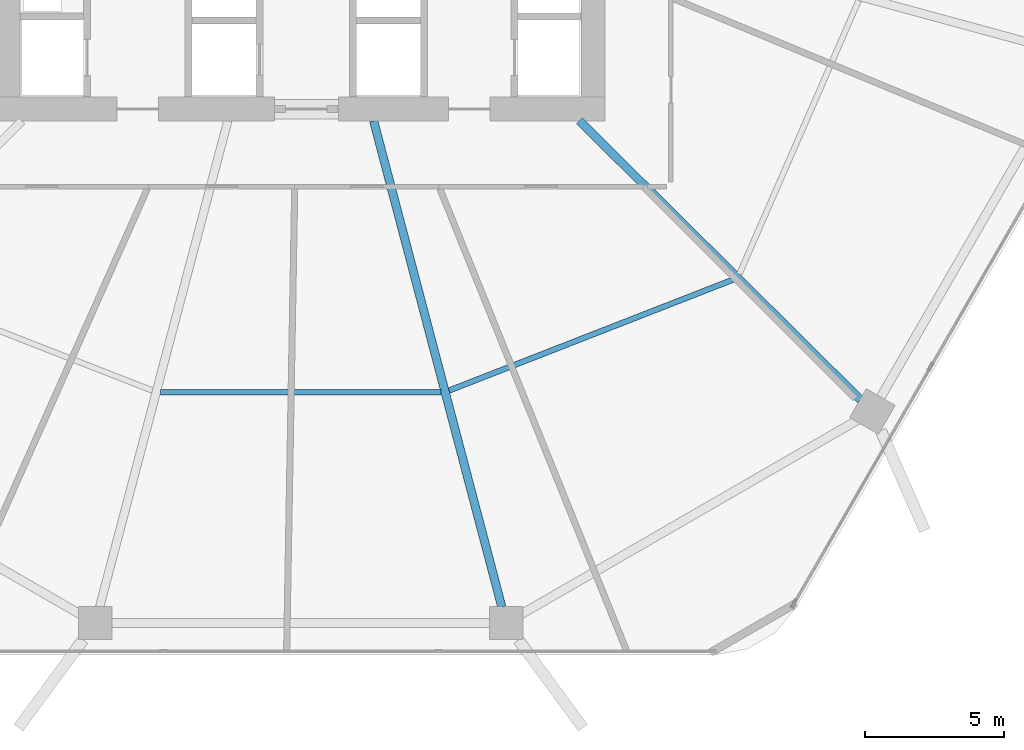
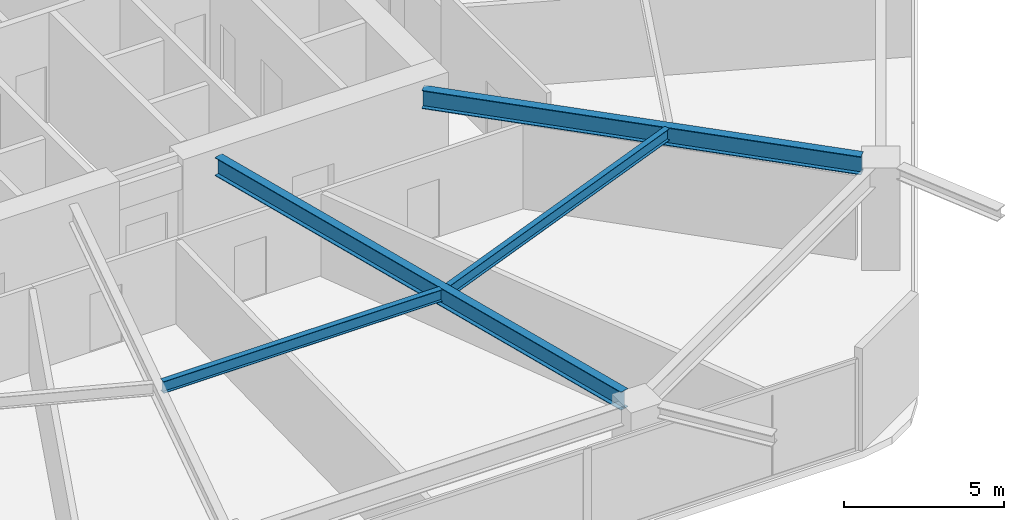
# One storey, part 8 of 25: 4 beams.
"""IFC4 building model written with IfcOpenShell, lengths in metres."""

import ifcopenshell
import ifcopenshell.guid

model = None  # the IFC model being written
_history = None  # IfcOwnerHistory: only IFC2X3 demands one
_inside = {}  # id of a spatial element -> (the spatial element, [elements in it])
_under = {}  # id of a project, library or spatial element -> (it, [spatial elements below it])
_declared = {}  # id of a project -> (the project, [libraries it declares])
_typed = {}  # id of a type object -> (the type object, [elements of that type])
_made_of = {}  # id of a material, layer set ... -> (it, [elements and type objects made of it])


def new_model(schema):
    """Start an empty IFC model of exactly this schema.

    Asked for "IFC4X3", IfcOpenShell would pick the latest addendum, in which some entities
    have other attributes; the version numbers below select the first issue.
    IFC2X3 requires an IfcOwnerHistory on every rooted entity: one is made here for all.
    """
    global model, _history
    if schema == "IFC4X3":
        model = ifcopenshell.file(schema_version=(4, 3, 0, 0))
    else:
        model = ifcopenshell.file(schema=schema)
    _inside.clear()
    _under.clear()
    _declared.clear()
    _typed.clear()
    _made_of.clear()
    _history = None
    if model.schema == "IFC2X3":
        org = make("IfcOrganization", Name="unknown")
        user = make(
            "IfcPersonAndOrganization",
            ThePerson=make("IfcPerson", FamilyName="unknown"),
            TheOrganization=org,
        )
        app = make(
            "IfcApplication",
            ApplicationDeveloper=org,
            Version="unknown",
            ApplicationFullName="unknown",
            ApplicationIdentifier="unknown",
        )
        _history = make(
            "IfcOwnerHistory",
            OwningUser=user,
            OwningApplication=app,
            ChangeAction="ADDED",
            CreationDate=0,
        )
    return model


def make(cls, **values):
    """One entity of the class cls with the attributes given. An attribute that is None is left unset."""
    return model.create_entity(
        cls, **{name: value for name, value in values.items() if value is not None}
    )


def rooted(cls, **values):
    """An entity with a GlobalId (a new one), such as an element, a storey or a relation."""
    return make(cls, GlobalId=ifcopenshell.guid.new(), OwnerHistory=_history, **values)


def si_unit(unit_type, name, prefix=None):
    """IfcSIUnit, for example si_unit("LENGTHUNIT", "METRE", prefix="MILLI")."""
    return make("IfcSIUnit", UnitType=unit_type, Prefix=prefix, Name=name)


def assignment(units):
    """IfcUnitAssignment: the units of a project."""
    return None if units is None else make("IfcUnitAssignment", Units=units)


def point(xyz):
    """IfcCartesianPoint."""
    return None if xyz is None else make("IfcCartesianPoint", Coordinates=xyz)


def direction(xyz):
    """IfcDirection."""
    return None if xyz is None else make("IfcDirection", DirectionRatios=xyz)


def frame(location, z_axis=None, x_axis=None):
    """IfcAxis2Placement3D, a coordinate frame: its origin and axes. An axis left out is left unset."""
    return make(
        "IfcAxis2Placement3D",
        Location=point(location),
        Axis=direction(z_axis),
        RefDirection=direction(x_axis),
    )


def frame_2d(location, x_axis=None):
    """IfcAxis2Placement2D, a coordinate frame in the plane: its origin and x axis."""
    return make(
        "IfcAxis2Placement2D", Location=point(location), RefDirection=direction(x_axis)
    )


def origin():
    """The frame at (0, 0, 0) with its axes left unset."""
    return frame((0.0, 0.0, 0.0))


def origin_2d():
    """The frame at (0, 0) in the plane with its x axis left unset."""
    return frame_2d((0.0, 0.0))


def place(relative_to, where):
    """IfcLocalPlacement: puts the frame where relative to a parent placement (None: the world)."""
    return make(
        "IfcLocalPlacement", PlacementRelTo=relative_to, RelativePlacement=where
    )


def context(
    kind, dimensions, precision=None, world=None, true_north=None, identifier=None
):
    """IfcGeometricRepresentationContext, for example the 3D "Model" context."""
    return make(
        "IfcGeometricRepresentationContext",
        ContextIdentifier=identifier,
        ContextType=kind,
        CoordinateSpaceDimension=dimensions,
        Precision=precision,
        WorldCoordinateSystem=world,
        TrueNorth=true_north,
    )


def subcontext(parent, identifier, kind, view, scale=None):
    """IfcGeometricRepresentationSubContext, for example "Body" below "Model"."""
    return make(
        "IfcGeometricRepresentationSubContext",
        ContextIdentifier=identifier,
        ContextType=kind,
        ParentContext=parent,
        TargetScale=scale,
        TargetView=view,
    )


def project(units=None, contexts=None):
    """IfcProject with its units and contexts."""
    return rooted(
        "IfcProject",
        Name="project",
        RepresentationContexts=contexts,
        UnitsInContext=assignment(units),
    )


def spatial(cls, under=None, at=None, **own):
    """A site, building, storey or space (cls), placed at a placement, below another one or the project."""
    s = rooted(cls, ObjectPlacement=at, **own)
    if under is not None:
        _under.setdefault(under.id(), (under, []))[1].append(s)
    return s


def profile(cls, at=None, kind="AREA", **sizes):
    """A parametric profile (cls). Its sizes go by their IFC names, for example OverallWidth=200.0."""
    return make(cls, ProfileType=kind, Position=at, **sizes)


def i_section(**sizes):
    """IfcIShapeProfileDef."""
    return profile("IfcIShapeProfileDef", **sizes)


def extrude(swept, where, along, depth):
    """IfcExtrudedAreaSolid: the profile swept, set in the frame where, extruded along a direction by depth."""
    return make(
        "IfcExtrudedAreaSolid",
        SweptArea=swept,
        Position=where,
        ExtrudedDirection=direction(along),
        Depth=depth,
    )


def shape(context_of_items, identifier, shape_type, items):
    """IfcShapeRepresentation: the items that make up one representation, for example the "Body"."""
    return make(
        "IfcShapeRepresentation",
        ContextOfItems=context_of_items,
        RepresentationIdentifier=identifier,
        RepresentationType=shape_type,
        Items=items,
    )


def material(Name=None, Category=None):
    """IfcMaterial."""
    return make("IfcMaterial", Name=Name, Category=Category)


def material_profile(
    of_material, cross_section, Name=None, Category=None, Priority=None
):
    """IfcMaterialProfile: a cross section and its material."""
    return make(
        "IfcMaterialProfile",
        Name=Name,
        Material=of_material,
        Profile=cross_section,
        Priority=Priority,
        Category=Category,
    )


def profile_set(profiles, Name=None, composite=None):
    """IfcMaterialProfileSet."""
    return make(
        "IfcMaterialProfileSet",
        Name=Name,
        MaterialProfiles=profiles,
        CompositeProfile=composite,
    )


def made_of(thing, what):
    """Note that an element or type object is made of a material, layer set ...; save() writes the relation."""
    if what is not None:
        _made_of.setdefault(what.id(), (what, []))[1].append(thing)
    return thing


def type_object(cls, material=None, **own):
    """A type object (cls), such as IfcWallType, which elements share."""
    return made_of(rooted(cls, **own), material)


def element(
    cls,
    number,
    at=None,
    inside=None,
    cuts=None,
    type_object=None,
    material=None,
    context=None,
    identifier="Body",
    shape_type=None,
    held_by="IfcProductDefinitionShape",
    body=None,
    shapes=None,
    **own,
):
    """One element of the class cls, such as IfcWall. Its Tag is "e" and its number.

    at: its placement. inside: the storey or other place that contains it. cuts: it is an
    opening in that element (IfcRelVoidsElement). A single representation is given by context,
    identifier, shape_type and body (its items); several are given by shapes. held_by: the class
    of the entity that holds the representations. save() writes the other relations.
    """
    e = rooted(cls, Tag="e%d" % number, ObjectPlacement=at, **own)
    if body is not None:
        shapes = [shape(context, identifier, shape_type, body)]
    if shapes is not None:
        e.Representation = make(held_by, Representations=shapes)
    if inside is not None:
        _inside.setdefault(inside.id(), (inside, []))[1].append(e)
    if cuts is not None:
        rooted(
            "IfcRelVoidsElement", RelatingBuildingElement=cuts, RelatedOpeningElement=e
        )
    if type_object is not None:
        _typed.setdefault(type_object.id(), (type_object, []))[1].append(e)
    return made_of(e, material)


def aggregate(whole, parts):
    """IfcRelAggregates: a whole, such as a stair, and the parts it consists of."""
    return rooted("IfcRelAggregates", RelatingObject=whole, RelatedObjects=parts)


def save(model, path):
    """Write the relations noted so far, then the file.

    IfcRelAggregates (storeys below a building ...), IfcRelContainedInSpatialStructure (elements
    in a storey), IfcRelDefinesByType, IfcRelAssociatesMaterial and IfcRelDeclares: one each for
    every whole, place, type object, material and project.
    """
    for whole, parts in _under.values():
        aggregate(whole, parts)
    for where, things in _inside.values():
        rooted(
            "IfcRelContainedInSpatialStructure",
            RelatedElements=things,
            RelatingStructure=where,
        )
    for kind, things in _typed.values():
        rooted("IfcRelDefinesByType", RelatedObjects=things, RelatingType=kind)
    for what, things in _made_of.values():
        rooted("IfcRelAssociatesMaterial", RelatedObjects=things, RelatingMaterial=what)
    for by, libraries in _declared.values():
        rooted("IfcRelDeclares", RelatingContext=by, RelatedDefinitions=libraries)
    model.write(path)


model = new_model("IFC4")

# Units and contexts
model_context = context("Model", 3, precision=1e-05, world=origin(), true_north=direction((0.0, 1.0)))
body_context = subcontext(model_context, "Body", "Model", "MODEL_VIEW")
ifc_project = project(units=[si_unit("LENGTHUNIT", "METRE"), si_unit("AREAUNIT", "SQUARE_METRE"), si_unit("VOLUMEUNIT", "CUBIC_METRE"), si_unit("PLANEANGLEUNIT", "RADIAN"), si_unit("MASSUNIT", "GRAM", prefix="KILO")], contexts=[model_context])

# Site, building, storey
site_placement = place(None, origin())
site = spatial("IfcSite", under=ifc_project, at=site_placement, CompositionType="ELEMENT")
building_placement = place(site_placement, origin())
building = spatial("IfcBuilding", under=site, at=building_placement, Name="Zuhravey Tower", CompositionType="ELEMENT")
storey_placement = place(building_placement, frame((0.0, 0.0, 70.800048828125)))
storey = spatial("IfcBuildingStorey", under=building, at=storey_placement, Name="L17", CompositionType="ELEMENT", Elevation=70.800048828125)

# Beams
ifc_material = material(Name="Steel SM355", Category="steel")
ifc_material_profile_1 = material_profile(ifc_material, i_section(OverallWidth=0.300048828125, OverallDepth=0.699951171875, WebThickness=0.012939453125, FlangeThickness=0.02392578125, at=origin_2d()), Name="H-700x300x13x24")
ifc_profile_set_1 = profile_set([ifc_material_profile_1], Name="Steel SM355")
beam_type_1 = type_object("IfcBeamType", Name="Radial Primary Girder H700x300", PredefinedType="BEAM", material=ifc_profile_set_1)
beam_1_placement = place(storey_placement, frame((38.617919921875, 22.072021484375, 3.570068359375), z_axis=(0.254989720435, -0.966943763862, 0.0), x_axis=(0.966943763862, 0.254989720435, 0.0)))
element("IfcBeam", 1, at=beam_1_placement, inside=storey, type_object=beam_type_1, Name="L17 RG1 BM-L17-RAD-10", PredefinedType="BEAM", context=body_context, shape_type="SweptSolid", body=[
    extrude(i_section(OverallWidth=0.300048828125, OverallDepth=0.699951171875, WebThickness=0.012939453125, FlangeThickness=0.02392578125, at=origin_2d()), origin(), (0.0, 0.0, 1.0), 18.03369140625),
])
beam_2_placement = place(storey_placement, frame((46.007080078125, 22.072021484375, 3.570068359375), z_axis=(0.709902823282, -0.704299639, 0.0), x_axis=(0.704299639, 0.709902823282, 0.0)))
element("IfcBeam", 2, at=beam_2_placement, inside=storey, type_object=beam_type_1, Name="L17 RG1 BM-L17-RAD-11", PredefinedType="BEAM", context=body_context, shape_type="SweptSolid", body=[
    extrude(i_section(OverallWidth=0.300048828125, OverallDepth=0.699951171875, WebThickness=0.012939453125, FlangeThickness=0.02392578125, at=origin_2d()), origin(), (0.0, 0.0, 1.0), 14.204345703125),
])
ifc_material_profile_2 = material_profile(ifc_material, i_section(OverallWidth=0.199951171875, OverallDepth=0.449951171875, WebThickness=0.009033203125, FlangeThickness=0.013916015625, at=origin_2d()), Name="H-450x200x9x14")
ifc_profile_set_2 = profile_set([ifc_material_profile_2], Name="Steel SM355")
beam_type_2 = type_object("IfcBeamType", Name="Secondary Floor Joist H450x200", PredefinedType="JOIST", material=ifc_profile_set_2)
beam_3_placement = place(storey_placement, frame((30.969970703125, 12.3408203125, 3.695068359375), z_axis=(1.0, 0.0, 0.0), x_axis=(0.0, 1.0, 0.0)))
element("IfcBeam", 3, at=beam_3_placement, inside=storey, type_object=beam_type_2, Name="L17 SJ1 BM-L17-SJ-09-1", PredefinedType="JOIST", context=body_context, shape_type="SweptSolid", body=[
    extrude(i_section(OverallWidth=0.199951171875, OverallDepth=0.449951171875, WebThickness=0.009033203125, FlangeThickness=0.013916015625, at=origin_2d()), origin(), (0.0, 0.0, 1.0), 10.06005859375),
])
beam_4_placement = place(storey_placement, frame((41.32763671875, 12.39697265625, 3.695068359375), z_axis=(0.931516535886, 0.363698973562, 0.0), x_axis=(-0.363698973562, 0.931516535886, 0.0)))
element("IfcBeam", 4, at=beam_4_placement, inside=storey, type_object=beam_type_2, Name="L17 SJ1 BM-L17-SJ-10-1", PredefinedType="JOIST", context=body_context, shape_type="SweptSolid", body=[
    extrude(i_section(OverallWidth=0.199951171875, OverallDepth=0.449951171875, WebThickness=0.009033203125, FlangeThickness=0.013916015625, at=origin_2d()), origin(), (0.0, 0.0, 1.0), 10.963134765625),
])

save(model, "model.ifc")
